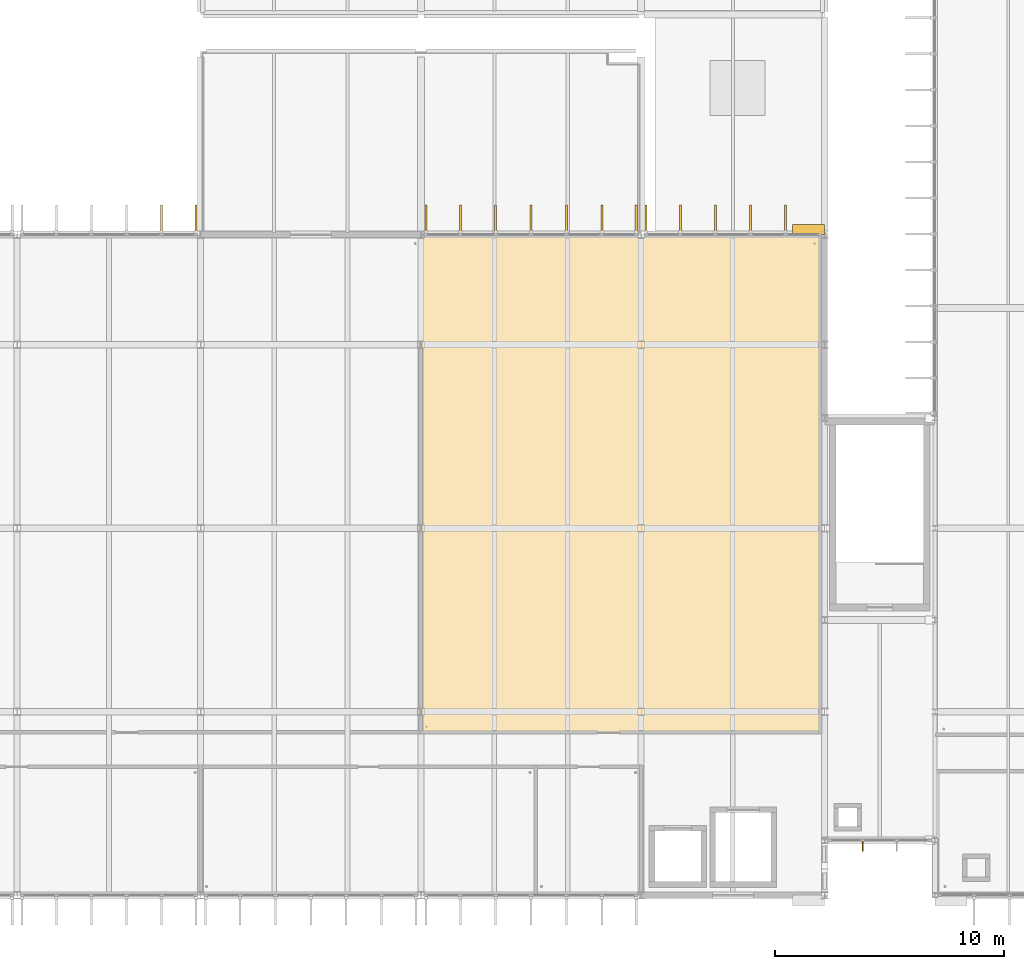
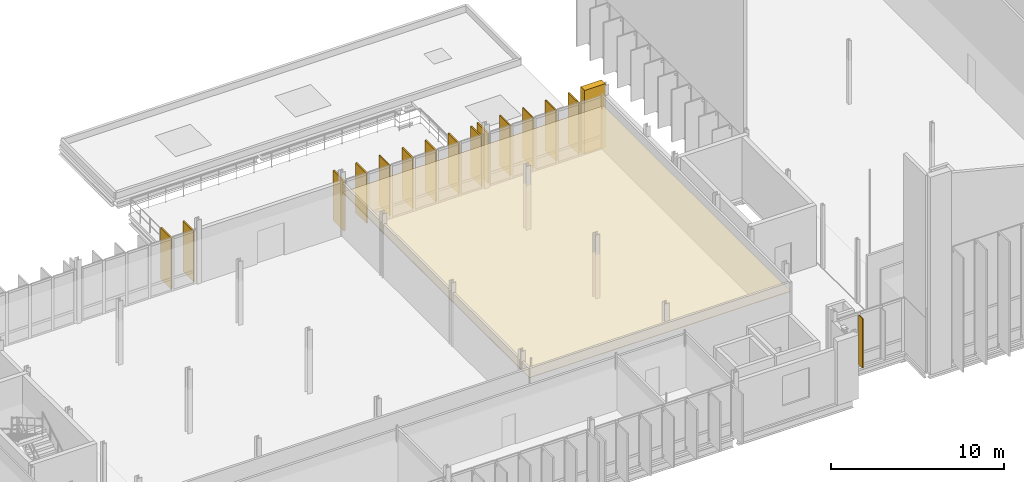
# One storey, part 106 of 110: 16 coverings, 1 shading device.
"""IFC4 building model written with IfcOpenShell, lengths in metres."""

from ifc_helpers import new_model, si_unit, direction, frame, origin, origin_2d, place, context, subcontext, project, spatial, polyline, rectangle, outline, extrude, material, layer, layer_set, type_object, element, save


model = new_model("IFC4")

# Units and contexts
model_context = context("Model", 3, precision=1e-05, world=origin(), true_north=direction((0.0, 1.0)))
body_context = subcontext(model_context, "Body", "Model", "MODEL_VIEW")
ifc_project = project(units=[si_unit("LENGTHUNIT", "METRE"), si_unit("AREAUNIT", "SQUARE_METRE"), si_unit("VOLUMEUNIT", "CUBIC_METRE"), si_unit("PLANEANGLEUNIT", "RADIAN"), si_unit("MASSUNIT", "GRAM", prefix="KILO")], contexts=[model_context])

# Site, building, storey
site_placement = place(None, origin())
site = spatial("IfcSite", under=ifc_project, at=site_placement, CompositionType="ELEMENT")
building_placement = place(site_placement, origin())
building = spatial("IfcBuilding", under=site, at=building_placement, Name="Dunescarp Central Library", CompositionType="ELEMENT")
storey_placement = place(building_placement, frame((0.0, 0.0, 9.60009765625)))
storey = spatial("IfcBuildingStorey", under=building, at=storey_placement, Name="L02", CompositionType="ELEMENT", Elevation=9.60009765625)

# Coverings
ifc_material_1 = material(Name="Mineral-fibre acoustic ceiling tile")
ifc_layer_1 = layer(ifc_material_1, 0.0400390625)
ifc_layer_set_1 = layer_set([ifc_layer_1], Name="Mineral-fibre acoustic ceiling tile")
covering_type_1 = type_object("IfcCoveringType", Name="ARC-COV-CEIL40", PredefinedType="CEILING", material=ifc_layer_set_1)
covering_1_placement = place(storey_placement, frame((0.0, 0.0, 3.0498046875)))
element("IfcCovering", 1, at=covering_1_placement, inside=storey, type_object=covering_type_1, Name="L02 ceiling L02 Open Lending Book Stacks East", PredefinedType="CEILING", context=body_context, shape_type="SweptSolid", body=[
    extrude(outline(polyline([(107.179931640625, 11.8798828125), (124.6201171875, 11.8798828125), (124.6201171875, 33.47998046875), (107.179931640625, 33.47998046875), (107.179931640625, 11.8798828125)])), origin(), (0.0, 0.0, 1.0), 0.0400390625),
])
ifc_material_2 = material(Name="Glass-fibre reinforced concrete GRC", Category="concrete")
ifc_layer_2 = layer(ifc_material_2, 0.090087890625)
ifc_layer_set_2 = layer_set([ifc_layer_2], Name="Glass-fibre reinforced concrete GRC")
covering_type_2 = type_object("IfcCoveringType", Name="ARC-COV-FIN1250", PredefinedType="CLADDING", material=ifc_layer_set_2)
covering_2_placement = place(storey_placement, frame((95.89501953125, 34.261962890625, 0.079833984375), z_axis=(0.0, 0.0, 1.0), x_axis=(0.0, 1.0, 0.0)))
element("IfcCovering", 2, at=covering_2_placement, inside=storey, type_object=covering_type_2, Name="L02 parametric vertical facade fin FIN-L02-0650", PredefinedType="CLADDING", context=body_context, shape_type="SweptSolid", body=[
    extrude(rectangle(XDim=1.25, YDim=0.090087890625, at=origin_2d()), origin(), (0.0, 0.0, 1.0), 3.60400390625),
])
covering_3_placement = place(storey_placement, frame((97.385009765625, 34.261962890625, 0.080078125), z_axis=(0.0, 0.0, 1.0), x_axis=(0.0, 1.0, 0.0)))
element("IfcCovering", 3, at=covering_3_placement, inside=storey, type_object=covering_type_2, Name="L02 parametric vertical facade fin FIN-L02-0651", PredefinedType="CLADDING", context=body_context, shape_type="SweptSolid", body=[
    extrude(rectangle(XDim=1.25, YDim=0.090087890625, at=origin_2d()), origin(), (0.0, 0.0, 1.0), 3.553955078125),
])
covering_4_placement = place(storey_placement, frame((107.4150390625, 34.261962890625, 0.1669921875), z_axis=(0.0, 0.0, 1.0), x_axis=(0.0, 1.0, 0.0)))
element("IfcCovering", 4, at=covering_4_placement, inside=storey, type_object=covering_type_2, Name="L02 parametric vertical facade fin FIN-L02-0652", PredefinedType="CLADDING", context=body_context, shape_type="SweptSolid", body=[
    extrude(rectangle(XDim=1.25, YDim=0.090087890625, at=origin_2d()), origin(), (0.0, 0.0, 1.0), 3.528076171875),
])
covering_5_placement = place(storey_placement, frame((108.9169921875, 34.261962890625, 0.1796875), z_axis=(0.0, 0.0, 1.0), x_axis=(0.0, 1.0, 0.0)))
element("IfcCovering", 5, at=covering_5_placement, inside=storey, type_object=covering_type_2, Name="L02 parametric vertical facade fin FIN-L02-0653", PredefinedType="CLADDING", context=body_context, shape_type="SweptSolid", body=[
    extrude(rectangle(XDim=1.25, YDim=0.090087890625, at=origin_2d()), origin(), (0.0, 0.0, 1.0), 3.514892578125),
])
covering_6_placement = place(storey_placement, frame((110.4580078125, 34.261962890625, 0.16357421875), z_axis=(0.0, 0.0, 1.0), x_axis=(0.0, 1.0, 0.0)))
element("IfcCovering", 6, at=covering_6_placement, inside=storey, type_object=covering_type_2, Name="L02 parametric vertical facade fin FIN-L02-0654", PredefinedType="CLADDING", context=body_context, shape_type="SweptSolid", body=[
    extrude(rectangle(XDim=1.25, YDim=0.090087890625, at=origin_2d()), origin(), (0.0, 0.0, 1.0), 3.531005859375),
])
covering_7_placement = place(storey_placement, frame((112.0, 34.261962890625, 0.123046875), z_axis=(0.0, 0.0, 1.0), x_axis=(0.0, 1.0, 0.0)))
element("IfcCovering", 7, at=covering_7_placement, inside=storey, type_object=covering_type_2, Name="L02 parametric vertical facade fin FIN-L02-0655", PredefinedType="CLADDING", context=body_context, shape_type="SweptSolid", body=[
    extrude(rectangle(XDim=1.25, YDim=0.090087890625, at=origin_2d()), origin(), (0.0, 0.0, 1.0), 3.572021484375),
])
covering_8_placement = place(storey_placement, frame((113.5419921875, 34.261962890625, 0.079833984375), z_axis=(0.0, 0.0, 1.0), x_axis=(0.0, 1.0, 0.0)))
element("IfcCovering", 8, at=covering_8_placement, inside=storey, type_object=covering_type_2, Name="L02 parametric vertical facade fin FIN-L02-0656", PredefinedType="CLADDING", context=body_context, shape_type="SweptSolid", body=[
    extrude(rectangle(XDim=1.25, YDim=0.090087890625, at=origin_2d()), origin(), (0.0, 0.0, 1.0), 3.60400390625),
])
covering_9_placement = place(storey_placement, frame((115.0830078125, 34.261962890625, 0.080078125), z_axis=(0.0, 0.0, 1.0), x_axis=(0.0, 1.0, 0.0)))
element("IfcCovering", 9, at=covering_9_placement, inside=storey, type_object=covering_type_2, Name="L02 parametric vertical facade fin FIN-L02-0657", PredefinedType="CLADDING", context=body_context, shape_type="SweptSolid", body=[
    extrude(rectangle(XDim=1.25, YDim=0.090087890625, at=origin_2d()), origin(), (0.0, 0.0, 1.0), 3.553955078125),
])
covering_10_placement = place(storey_placement, frame((116.5849609375, 34.261962890625, 0.080322265625), z_axis=(0.0, 0.0, 1.0), x_axis=(0.0, 1.0, 0.0)))
element("IfcCovering", 10, at=covering_10_placement, inside=storey, type_object=covering_type_2, Name="L02 parametric vertical facade fin FIN-L02-0658", PredefinedType="CLADDING", context=body_context, shape_type="SweptSolid", body=[
    extrude(rectangle(XDim=1.25, YDim=0.090087890625, at=origin_2d()), origin(), (0.0, 0.0, 1.0), 3.52099609375),
])
covering_11_placement = place(storey_placement, frame((117.014892578125, 34.261962890625, 0.1669921875), z_axis=(0.0, 0.0, 1.0), x_axis=(0.0, 1.0, 0.0)))
element("IfcCovering", 11, at=covering_11_placement, inside=storey, type_object=covering_type_2, Name="L02 parametric vertical facade fin FIN-L02-0659", PredefinedType="CLADDING", context=body_context, shape_type="SweptSolid", body=[
    extrude(rectangle(XDim=1.25, YDim=0.090087890625, at=origin_2d()), origin(), (0.0, 0.0, 1.0), 3.528076171875),
])
covering_12_placement = place(storey_placement, frame((118.5048828125, 34.261962890625, 0.1796875), z_axis=(0.0, 0.0, 1.0), x_axis=(0.0, 1.0, 0.0)))
element("IfcCovering", 12, at=covering_12_placement, inside=storey, type_object=covering_type_2, Name="L02 parametric vertical facade fin FIN-L02-0660", PredefinedType="CLADDING", context=body_context, shape_type="SweptSolid", body=[
    extrude(rectangle(XDim=1.25, YDim=0.090087890625, at=origin_2d()), origin(), (0.0, 0.0, 1.0), 3.514892578125),
])
covering_13_placement = place(storey_placement, frame((120.034912109375, 34.261962890625, 0.16357421875), z_axis=(0.0, 0.0, 1.0), x_axis=(0.0, 1.0, 0.0)))
element("IfcCovering", 13, at=covering_13_placement, inside=storey, type_object=covering_type_2, Name="L02 parametric vertical facade fin FIN-L02-0661", PredefinedType="CLADDING", context=body_context, shape_type="SweptSolid", body=[
    extrude(rectangle(XDim=1.25, YDim=0.090087890625, at=origin_2d()), origin(), (0.0, 0.0, 1.0), 3.531005859375),
])
covering_14_placement = place(storey_placement, frame((121.56494140625, 34.261962890625, 0.123046875), z_axis=(0.0, 0.0, 1.0), x_axis=(0.0, 1.0, 0.0)))
element("IfcCovering", 14, at=covering_14_placement, inside=storey, type_object=covering_type_2, Name="L02 parametric vertical facade fin FIN-L02-0662", PredefinedType="CLADDING", context=body_context, shape_type="SweptSolid", body=[
    extrude(rectangle(XDim=1.25, YDim=0.090087890625, at=origin_2d()), origin(), (0.0, 0.0, 1.0), 3.572021484375),
])
covering_15_placement = place(storey_placement, frame((123.094970703125, 34.261962890625, 0.079833984375), z_axis=(0.0, 0.0, 1.0), x_axis=(0.0, 1.0, 0.0)))
element("IfcCovering", 15, at=covering_15_placement, inside=storey, type_object=covering_type_2, Name="L02 parametric vertical facade fin FIN-L02-0663", PredefinedType="CLADDING", context=body_context, shape_type="SweptSolid", body=[
    extrude(rectangle(XDim=1.25, YDim=0.090087890625, at=origin_2d()), origin(), (0.0, 0.0, 1.0), 3.60400390625),
])
ifc_layer_3 = layer(ifc_material_2, 0.449951171875)
ifc_layer_set_3 = layer_set([ifc_layer_3], Name="Glass-fibre reinforced concrete GRC")
covering_type_3 = type_object("IfcCoveringType", Name="ARC-COV-PORTAL", PredefinedType="CLADDING", material=ifc_layer_set_3)
covering_16_placement = place(storey_placement, frame((124.10009765625, 33.820068359375, 0.0), z_axis=(0.0, 0.0, 1.0), x_axis=(1.0, 0.0, 0.0)))
element("IfcCovering", 16, at=covering_16_placement, inside=storey, type_object=covering_type_3, Name="V3 sculpted GRC portal pier PRT-BAND-V3-038", PredefinedType="CLADDING", context=body_context, shape_type="SweptSolid", body=[
    extrude(rectangle(XDim=1.39990234375, YDim=0.449951171875, at=origin_2d()), origin(), (0.0, 0.0, 1.0), 4.5),
])

# Shading device
ifc_material_3 = material(Name="Marine-grade anodised aluminium 6063-T6", Category="aluminium")
ifc_layer_4 = layer(ifc_material_3, 0.06005859375)
ifc_layer_set_4 = layer_set([ifc_layer_4], Name="Marine-grade anodised aluminium 6063-T6")
shading_device_type = type_object("IfcShadingDeviceType", Name="ARC-SHD-FIN", PredefinedType="USERDEFINED", material=ifc_layer_set_4)
shading_device_placement = place(storey_placement, frame((126.4580078125, 6.93896484375, 0.150390625), z_axis=(0.0, 0.0, 1.0), x_axis=(0.0, -1.0, 0.0)))
element("IfcShadingDevice", 17, at=shading_device_placement, inside=storey, type_object=shading_device_type, Name="L02 link sunshade fin SHDF-L02-1115", ObjectType="FIN", PredefinedType="USERDEFINED", context=body_context, shape_type="SweptSolid", body=[
    extrude(rectangle(XDim=0.449951171875, YDim=0.06005859375, at=origin_2d()), origin(), (0.0, 0.0, 1.0), 3.47509765625),
])

save(model, "model.ifc")
